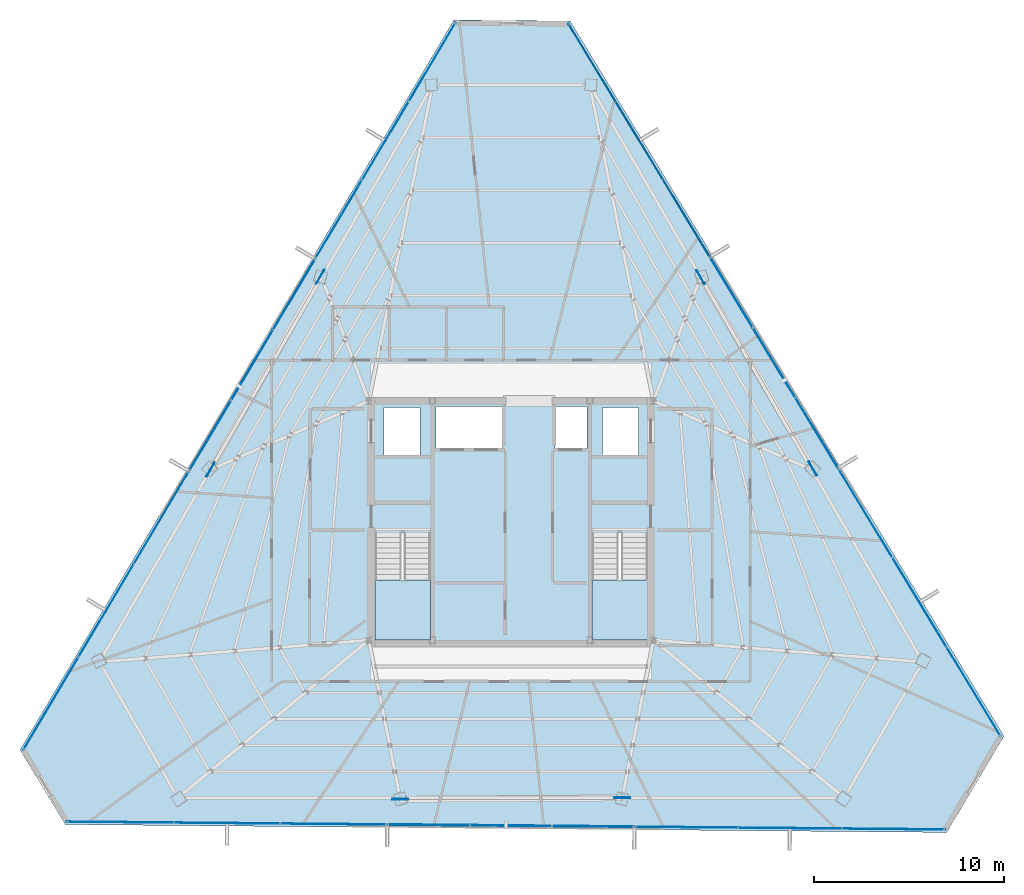
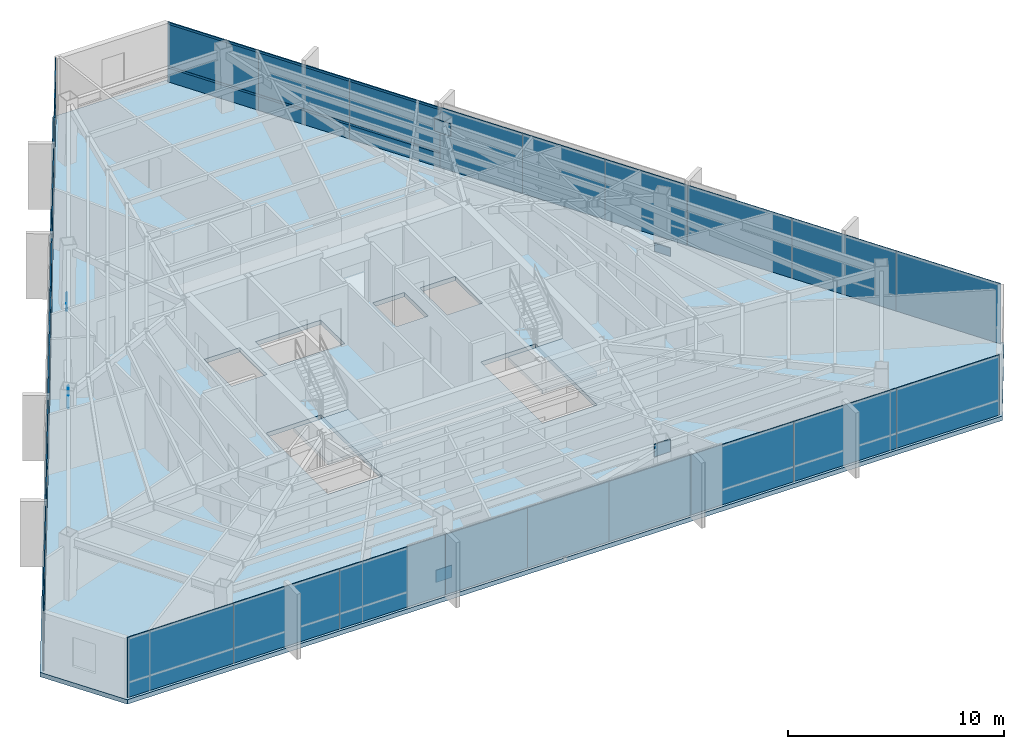
# One storey, part 35 of 45: 33 plates, 3 slabs, 2 members, 11 elements without a shape of their own.
"""IFC4 building model written with IfcOpenShell, lengths in metres."""

from ifc_helpers import new_model, si_unit, direction, frame, origin, origin_2d, place, context, subcontext, project, spatial, polyline, rectangle, hollow_rectangle, outline, extrude, source, transform, mapped, material, layer, layer_set, material_profile, profile_set, type_object, type_shapes, element, aggregate, save


model = new_model("IFC4")

# Units and contexts
model_context = context("Model", 3, precision=1e-05, world=origin(), true_north=direction((0.0, 1.0)))
body_context = subcontext(model_context, "Body", "Model", "MODEL_VIEW")
ifc_project = project(units=[si_unit("LENGTHUNIT", "METRE"), si_unit("AREAUNIT", "SQUARE_METRE"), si_unit("VOLUMEUNIT", "CUBIC_METRE"), si_unit("PLANEANGLEUNIT", "RADIAN"), si_unit("MASSUNIT", "GRAM", prefix="KILO")], contexts=[model_context])

# Site, building, storey
site_placement = place(None, origin())
site = spatial("IfcSite", under=ifc_project, at=site_placement, CompositionType="ELEMENT")
building_placement = place(site_placement, origin())
building = spatial("IfcBuilding", under=site, at=building_placement, Name="Caelisora Broadcast Tower", CompositionType="ELEMENT")
storey_placement = place(building_placement, frame((0.0, 0.0, 240.800048828125)))
storey = spatial("IfcBuildingStorey", under=building, at=storey_placement, Name="L63", CompositionType="ELEMENT", Elevation=240.800048828125)

# Curtain wall, members
ifc_material_1 = material(Name="Unitised Aluminium and Low-E Glass Curtain Wall", Category="glass")
curtain_wall_type_1 = type_object("IfcCurtainWallType", Name="CW-Z5", PredefinedType="NOTDEFINED", material=ifc_material_1)
curtain_wall_1_placement = place(storey_placement, origin())
curtain_wall_1 = element("IfcCurtainWall", 1, at=curtain_wall_1_placement, inside=storey, type_object=curtain_wall_type_1, Name="L63 curtain wall CW-Z5", PredefinedType="NOTDEFINED")
ifc_material_2 = material(Name="Aluminium 6063-T6 Anodised Terracotta Bronze", Category="aluminium")
ifc_material_profile = material_profile(ifc_material_2, hollow_rectangle(XDim=0.06005859375, YDim=0.1201171875, WallThickness=0.0029296875, at=origin_2d()), Name="Aluminium 6063-T6 Anodised Terracotta Bronze")
ifc_profile_set = profile_set([ifc_material_profile], Name="Aluminium 6063-T6 Anodised Terracotta Bronze")
member_type = type_object("IfcMemberType", Name="CWT-03", PredefinedType="USERDEFINED", material=ifc_profile_set)
shared_shape_1 = source(origin(), body_context, "Body", "SweptSolid", [
    extrude(hollow_rectangle(XDim=0.06005859375, YDim=0.1201171875, WallThickness=0.0029296875, at=origin_2d()), origin(), (0.0, 0.0, 1.0), 14.25537109375),
])
type_shapes(member_type, [shared_shape_1])
member_1_placement = place(storey_placement, frame((41.052001953125, 49.8212890625, 0.849853515625), z_axis=(0.51863531142, -0.854995563584, 0.0), x_axis=(0.854995563584, 0.51863531142, 0.0)))
member_1 = element("IfcMember", 2, at=member_1_placement, type_object=member_type, Name="L63-CW-B01 transom #1", ObjectType="TRANSOM", PredefinedType="USERDEFINED", context=body_context, shape_type="MappedRepresentation", body=[
    mapped(shared_shape_1, transform((0.0, 0.0, 0.0), scale=1.0)),
])
member_2_placement = place(storey_placement, frame((41.052001953125, 49.8212890625, 3.320068359375), z_axis=(0.51863531142, -0.854995563584, 0.0), x_axis=(0.854995563584, 0.51863531142, 0.0)))
member_2 = element("IfcMember", 3, at=member_2_placement, type_object=member_type, Name="L63-CW-B01 transom #2", ObjectType="TRANSOM", PredefinedType="USERDEFINED", context=body_context, shape_type="MappedRepresentation", body=[
    mapped(shared_shape_1, transform((0.0, 0.0, 0.0), scale=1.0)),
])

# Slab
ifc_material_3 = material(Name="Concrete 40 MPa (AS 3600 N40)", Category="concrete")
ifc_layer_1 = layer(ifc_material_3, 0.25, Name="Concrete 40 MPa (AS 3600 N40)")
ifc_layer_set_1 = layer_set([ifc_layer_1], Name="Concrete 40 MPa (AS 3600 N40)")
slab_type_1 = type_object("IfcSlabType", Name="SL04", PredefinedType="FLOOR", material=ifc_layer_set_1)
slab_1_placement = place(storey_placement, frame((0.0, 0.0, -0.25)))
element("IfcSlab", 4, at=slab_1_placement, inside=storey, type_object=slab_type_1, Name="L63 suspended floor SL04", PredefinedType="FLOOR", context=body_context, shape_type="SweptSolid", body=[
    extrude(outline(polyline([(41.111083984375, 50.012939453125), (34.98388671875, 50.068115234375), (12.1279296875, 11.615966796875), (14.511962890625, 7.68603515625), (60.947021484375, 7.26904296875), (63.962890625, 12.342041015625), (41.111083984375, 50.012939453125)]), holes=[polyline([(30.820068359375, 17.39990234375), (33.739990234375, 17.39990234375), (33.739990234375, 23.080078125), (30.820068359375, 23.080078125), (30.820068359375, 17.39990234375)]), polyline([(42.260009765625, 17.39990234375), (45.179931640625, 17.39990234375), (45.179931640625, 23.080078125), (42.260009765625, 23.080078125), (42.260009765625, 17.39990234375)]), polyline([(42.800048828125, 27.14990234375), (44.699951171875, 27.14990234375), (44.699951171875, 29.64990234375), (42.800048828125, 29.64990234375), (42.800048828125, 27.14990234375)]), polyline([(40.300048828125, 27.5), (42.0, 27.5), (42.0, 29.699951171875), (40.300048828125, 29.699951171875), (40.300048828125, 27.5)]), polyline([(34.050048828125, 27.5), (37.550048828125, 27.5), (37.550048828125, 29.699951171875), (34.050048828125, 29.699951171875), (34.050048828125, 27.5)]), polyline([(31.300048828125, 27.14990234375), (33.199951171875, 27.14990234375), (33.199951171875, 29.64990234375), (31.300048828125, 29.64990234375), (31.300048828125, 27.14990234375)])]), origin(), (0.0, 0.0, 1.0), 0.25),
])

# Stair, slab
stair_type_1 = type_object("IfcStairType", Name="ST-1", PredefinedType="HALF_TURN_STAIR", material=ifc_material_3)
stair_1_placement = place(storey_placement, origin())
stair_1 = element("IfcStair", 5, at=stair_1_placement, inside=storey, type_object=stair_type_1, Name="L63 West Fire-Isolated Tower Stair", PredefinedType="HALF_TURN_STAIR")
ifc_layer_2 = layer(ifc_material_3, 0.199951171875, Name="Concrete 40 MPa (AS 3600 N40)")
ifc_layer_set_2 = layer_set([ifc_layer_2], Name="Concrete 40 MPa (AS 3600 N40)")
slab_type_2 = type_object("IfcSlabType", Name="STL-1", PredefinedType="LANDING", material=ifc_layer_set_2)
slab_2_placement = place(storey_placement, frame((0.0, 0.0, 1.625)))
slab_2 = element("IfcSlab", 6, at=slab_2_placement, type_object=slab_type_2, Name="ST-1 landing 1", PredefinedType="LANDING", context=body_context, shape_type="SweptSolid", body=[
    extrude(outline(polyline([(30.820068359375, 20.580078125), (30.820068359375, 17.39990234375), (33.739990234375, 17.39990234375), (33.739990234375, 20.580078125), (30.820068359375, 20.580078125)])), origin(), (0.0, 0.0, 1.0), 0.199951171875),
])
aggregate(stair_1, [slab_2])

stair_type_2 = type_object("IfcStairType", Name="ST-2", PredefinedType="HALF_TURN_STAIR", material=ifc_material_3)
stair_2_placement = place(storey_placement, origin())
stair_2 = element("IfcStair", 7, at=stair_2_placement, inside=storey, type_object=stair_type_2, Name="L63 East Fire-Isolated Tower Stair", PredefinedType="HALF_TURN_STAIR")
slab_3_placement = place(storey_placement, frame((0.0, 0.0, 1.625)))
slab_3 = element("IfcSlab", 8, at=slab_3_placement, type_object=slab_type_2, Name="ST-2 landing 1", PredefinedType="LANDING", context=body_context, shape_type="SweptSolid", body=[
    extrude(outline(polyline([(42.260009765625, 20.580078125), (42.260009765625, 17.39990234375), (45.179931640625, 17.39990234375), (45.179931640625, 20.580078125), (42.260009765625, 20.580078125)])), origin(), (0.0, 0.0, 1.0), 0.199951171875),
])
aggregate(stair_2, [slab_3])

# Plates
ifc_material_4 = material(Name="Steel Grade 350 L15 (AS/NZS 3678)", Category="steel")
ifc_layer_3 = layer(ifc_material_4, 0.0400390625, Name="Steel Grade 350 L15 (AS/NZS 3678)")
ifc_layer_set_3 = layer_set([ifc_layer_3], Name="Steel Grade 350 L15 (AS/NZS 3678)")
plate_type_1 = type_object("IfcPlateType", Name="GP04", PredefinedType="USERDEFINED", material=ifc_layer_set_3)
shared_shape_2 = source(origin(), body_context, "Body", "SweptSolid", [
    extrude(rectangle(XDim=0.85009765625, YDim=0.0400390625, at=origin_2d()), origin(), (0.0, 0.0, 1.0), 0.699951171875),
])
type_shapes(plate_type_1, [shared_shape_2])
for number, where, z_axis, x_axis, name in (
    (9, (27.94677734375, 36.54150390625, -0.22998046875), (0.0, 0.0, 1.0), (-0.5, -0.866025403784, 0.0), "L63 gusset plate GP04 (ND-L63-C02B)"),
    (10, (22.16650390625, 26.38525390625, 2.72998046875), (0.0, 0.0, 1.0), (-0.5, -0.866025403784, 0.0), "L63 gusset plate GP04 (ND-L63-C03T)"),
    (11, (32.165283203125, 9.02294921875, -0.22998046875), (0.0, 0.0, 1.0), (1.0, 0.0, 0.0), "L63 gusset plate GP04 (ND-L63-C06B)"),
    (12, (43.85107421875, 9.09521484375, 2.72998046875), (0.0, 0.0, 1.0), (1.0, 0.0, 0.0), "L63 gusset plate GP04 (ND-L63-C07T)"),
    (13, (53.8876953125, 26.435546875, -0.22998046875), (0.0, 0.0, 1.0), (-0.5, 0.866025403784, 0.0), "L63 gusset plate GP04 (ND-L63-C10B)"),
    (14, (47.982421875, 36.51953125, 2.72998046875), (0.0, 0.0, 1.0), (-0.5, 0.866025403784, 0.0), "L63 gusset plate GP04 (ND-L63-C11T)"),
):
    element("IfcPlate", number, at=place(storey_placement, frame(where, z_axis=z_axis, x_axis=x_axis)), inside=storey, type_object=plate_type_1, Name=name, ObjectType="GUSSET PLATE", PredefinedType="USERDEFINED", context=body_context, shape_type="MappedRepresentation", body=[
        mapped(shared_shape_2, transform((0.0, 0.0, 0.0), scale=1.0)),
    ])

# Curtain wall, plates
curtain_wall_2_placement = place(storey_placement, origin())
curtain_wall_2 = element("IfcCurtainWall", 15, at=curtain_wall_2_placement, inside=storey, type_object=curtain_wall_type_1, Name="L63 curtain wall CW-Z5", PredefinedType="NOTDEFINED")
ifc_material_5 = material(Name="Double Glazed Low-E Argon IGU", Category="glass")
ifc_layer_4 = layer(ifc_material_5, 0.028076171875, Name="Double Glazed Low-E Argon IGU")
ifc_layer_set_4 = layer_set([ifc_layer_4], Name="Double Glazed Low-E Argon IGU")
plate_type_2 = type_object("IfcPlateType", Name="CWP-06", PredefinedType="CURTAIN_PANEL", material=ifc_layer_set_4)
shared_shape_3 = source(origin(), body_context, "Body", "SweptSolid", [
    extrude(rectangle(XDim=4.819091796875, YDim=0.028076171875, at=origin_2d()), origin(), (0.0, 0.0, 1.0), 3.39990234375),
])
plate_1_placement = place(storey_placement, frame((28.913330078125, 39.56103515625, 0.0), z_axis=(0.0, 0.0, 1.0), x_axis=(0.510993065504, 0.859584834096, 0.0)))
plate_1 = element("IfcPlate", 16, at=plate_1_placement, type_object=plate_type_2, Name="L63-CW-B11 glazed panel #1", PredefinedType="CURTAIN_PANEL", context=body_context, shape_type="MappedRepresentation", body=[
    mapped(shared_shape_3, transform((0.0, 0.0, 0.0), scale=1.0)),
])
plate_2_placement = place(storey_placement, frame((31.37548828125, 43.703369140625, 0.0), z_axis=(0.0, 0.0, 1.0), x_axis=(0.510993065504, 0.859584834096, 0.0)))
plate_2 = element("IfcPlate", 17, at=plate_2_placement, type_object=plate_type_2, Name="L63-CW-B11 glazed panel #2", PredefinedType="CURTAIN_PANEL", context=body_context, shape_type="MappedRepresentation", body=[
    mapped(shared_shape_3, transform((0.0, 0.0, 0.0), scale=1.0)),
])
plate_3_placement = place(storey_placement, frame((33.837890625, 47.845703125, 0.0), z_axis=(0.0, 0.0, 1.0), x_axis=(0.510993065504, 0.859584834096, 0.0)))
plate_3 = element("IfcPlate", 18, at=plate_3_placement, type_object=plate_type_2, Name="L63-CW-B11 glazed panel #3", PredefinedType="CURTAIN_PANEL", context=body_context, shape_type="MappedRepresentation", body=[
    mapped(shared_shape_3, transform((0.0, 0.0, 0.0), scale=1.0)),
])
aggregate(curtain_wall_2, [plate_1, plate_2, plate_3])

# Plate
shared_shape_4 = source(origin(), body_context, "Body", "SweptSolid", [
    extrude(rectangle(XDim=4.78515625, YDim=0.028076171875, at=origin_2d()), origin(), (0.0, 0.0, 1.0), 3.39990234375),
])
plate_4_placement = place(storey_placement, frame((42.266845703125, 47.818359375, 0.0), z_axis=(0.0, 0.0, 1.0), x_axis=(0.51862403999, -0.855002400666, 0.0)))
plate_4 = element("IfcPlate", 19, at=plate_4_placement, type_object=plate_type_2, Name="L63-CW-B01 glazed panel #1", PredefinedType="CURTAIN_PANEL", context=body_context, shape_type="MappedRepresentation", body=[
    mapped(shared_shape_4, transform((0.0, 0.0, 0.0), scale=1.0)),
])

plate_5_placement = place(storey_placement, frame((44.748779296875, 43.727294921875, 0.0), z_axis=(0.0, 0.0, 1.0), x_axis=(0.51862403999, -0.855002400666, 0.0)))
plate_5 = element("IfcPlate", 20, at=plate_5_placement, type_object=plate_type_2, Name="L63-CW-B01 glazed panel #2", PredefinedType="CURTAIN_PANEL", context=body_context, shape_type="MappedRepresentation", body=[
    mapped(shared_shape_4, transform((0.0, 0.0, 0.0), scale=1.0)),
])

plate_6_placement = place(storey_placement, frame((47.23046875, 39.635986328125, 0.0), z_axis=(0.0, 0.0, 1.0), x_axis=(0.51862403999, -0.855002400666, 0.0)))
plate_6 = element("IfcPlate", 21, at=plate_6_placement, type_object=plate_type_2, Name="L63-CW-B01 glazed panel #3", PredefinedType="CURTAIN_PANEL", context=body_context, shape_type="MappedRepresentation", body=[
    mapped(shared_shape_4, transform((0.0, 0.0, 0.0), scale=1.0)),
])

aggregate(curtain_wall_1, [member_1, member_2, plate_4, plate_5, plate_6])

# Curtain wall, plates
ifc_material_6 = material(Name="Unitised Aluminium Insulated Shadow-Box Spandrel Curtain Wall", Category="aluminium")
curtain_wall_type_2 = type_object("IfcCurtainWallType", Name="CW-SP3", PredefinedType="NOTDEFINED", material=ifc_material_6)
curtain_wall_3_placement = place(storey_placement, origin())
curtain_wall_3 = element("IfcCurtainWall", 22, at=curtain_wall_3_placement, inside=storey, type_object=curtain_wall_type_2, Name="L63 curtain wall CW-SP3", PredefinedType="NOTDEFINED")
ifc_material_7 = material(Name="Insulated Terracotta Shadow-Box Spandrel Panel", Category="aluminium")
ifc_layer_5 = layer(ifc_material_7, 0.0439453125, Name="Insulated Terracotta Shadow-Box Spandrel Panel")
ifc_layer_set_5 = layer_set([ifc_layer_5], Name="Insulated Terracotta Shadow-Box Spandrel Panel")
plate_type_3 = type_object("IfcPlateType", Name="CWP-10", PredefinedType="CURTAIN_PANEL", material=ifc_layer_set_5)
shared_shape_5 = source(origin(), body_context, "Body", "SweptSolid", [
    extrude(rectangle(XDim=4.33544921875, YDim=0.0439453125, at=origin_2d()), origin(), (0.0, 0.0, 1.0), 3.39990234375),
])
plate_7_placement = place(storey_placement, frame((49.600830078125, 35.728515625, 0.0), z_axis=(0.0, 0.0, 1.0), x_axis=(0.51862403999, -0.855002400666, 0.0)))
plate_7 = element("IfcPlate", 23, at=plate_7_placement, type_object=plate_type_3, Name="L63-CW-B02 spandrel panel #1", PredefinedType="CURTAIN_PANEL", context=body_context, shape_type="MappedRepresentation", body=[
    mapped(shared_shape_5, transform((0.0, 0.0, 0.0), scale=1.0)),
])
plate_8_placement = place(storey_placement, frame((51.849365234375, 32.021728515625, 0.0), z_axis=(0.0, 0.0, 1.0), x_axis=(0.51862403999, -0.855002400666, 0.0)))
plate_8 = element("IfcPlate", 24, at=plate_8_placement, type_object=plate_type_3, Name="L63-CW-B02 spandrel panel #2", PredefinedType="CURTAIN_PANEL", context=body_context, shape_type="MappedRepresentation", body=[
    mapped(shared_shape_5, transform((0.0, 0.0, 0.0), scale=1.0)),
])
plate_9_placement = place(storey_placement, frame((54.097900390625, 28.31494140625, 0.0), z_axis=(0.0, 0.0, 1.0), x_axis=(0.51862403999, -0.855002400666, 0.0)))
plate_9 = element("IfcPlate", 25, at=plate_9_placement, type_object=plate_type_3, Name="L63-CW-B02 spandrel panel #3", PredefinedType="CURTAIN_PANEL", context=body_context, shape_type="MappedRepresentation", body=[
    mapped(shared_shape_5, transform((0.0, 0.0, 0.0), scale=1.0)),
])
aggregate(curtain_wall_3, [plate_7, plate_8, plate_9])

curtain_wall_4_placement = place(storey_placement, origin())
curtain_wall_4 = element("IfcCurtainWall", 26, at=curtain_wall_4_placement, inside=storey, type_object=curtain_wall_type_1, Name="L63 curtain wall CW-Z5", PredefinedType="NOTDEFINED")
shared_shape_6 = source(origin(), body_context, "Body", "SweptSolid", [
    extrude(rectangle(XDim=5.501708984375, YDim=0.028076171875, at=origin_2d()), origin(), (0.0, 0.0, 1.0), 3.39990234375),
])
plate_10_placement = place(storey_placement, frame((56.654296875, 24.10107421875, 0.0), z_axis=(0.0, 0.0, 1.0), x_axis=(0.51862403999, -0.855002400666, 0.0)))
plate_10 = element("IfcPlate", 27, at=plate_10_placement, type_object=plate_type_2, Name="L63-CW-B03 glazed panel #1", PredefinedType="CURTAIN_PANEL", context=body_context, shape_type="MappedRepresentation", body=[
    mapped(shared_shape_6, transform((0.0, 0.0, 0.0), scale=1.0)),
])
plate_11_placement = place(storey_placement, frame((59.5078125, 19.39697265625, 0.0), z_axis=(0.0, 0.0, 1.0), x_axis=(0.51862403999, -0.855002400666, 0.0)))
plate_11 = element("IfcPlate", 28, at=plate_11_placement, type_object=plate_type_2, Name="L63-CW-B03 glazed panel #2", PredefinedType="CURTAIN_PANEL", context=body_context, shape_type="MappedRepresentation", body=[
    mapped(shared_shape_6, transform((0.0, 0.0, 0.0), scale=1.0)),
])
plate_12_placement = place(storey_placement, frame((62.361083984375, 14.693115234375, 0.0), z_axis=(0.0, 0.0, 1.0), x_axis=(0.51862403999, -0.855002400666, 0.0)))
plate_12 = element("IfcPlate", 29, at=plate_12_placement, type_object=plate_type_2, Name="L63-CW-B03 glazed panel #3", PredefinedType="CURTAIN_PANEL", context=body_context, shape_type="MappedRepresentation", body=[
    mapped(shared_shape_6, transform((0.0, 0.0, 0.0), scale=1.0)),
])
aggregate(curtain_wall_4, [plate_10, plate_11, plate_12])

curtain_wall_5_placement = place(storey_placement, origin())
curtain_wall_5 = element("IfcCurtainWall", 30, at=curtain_wall_5_placement, inside=storey, type_object=curtain_wall_type_1, Name="L63 curtain wall CW-Z5", PredefinedType="NOTDEFINED")
shared_shape_7 = source(origin(), body_context, "Body", "SweptSolid", [
    extrude(rectangle(XDim=5.45361328125, YDim=0.028076171875, at=origin_2d()), origin(), (0.0, 0.0, 1.0), 3.39990234375),
])
plate_13_placement = place(storey_placement, frame((58.13525390625, 7.444580078125, 0.0), z_axis=(0.0, 0.0, 1.0), x_axis=(-0.999960384766, 0.008901061644, 0.0)))
plate_13 = element("IfcPlate", 31, at=plate_13_placement, type_object=plate_type_2, Name="L63-CW-B05 glazed panel #1", PredefinedType="CURTAIN_PANEL", context=body_context, shape_type="MappedRepresentation", body=[
    mapped(shared_shape_7, transform((0.0, 0.0, 0.0), scale=1.0)),
])
plate_14_placement = place(storey_placement, frame((52.681884765625, 7.493408203125, 0.0), z_axis=(0.0, 0.0, 1.0), x_axis=(-0.999960384766, 0.008901061644, 0.0)))
plate_14 = element("IfcPlate", 32, at=plate_14_placement, type_object=plate_type_2, Name="L63-CW-B05 glazed panel #2", PredefinedType="CURTAIN_PANEL", context=body_context, shape_type="MappedRepresentation", body=[
    mapped(shared_shape_7, transform((0.0, 0.0, 0.0), scale=1.0)),
])
plate_15_placement = place(storey_placement, frame((47.228271484375, 7.542236328125, 0.0), z_axis=(0.0, 0.0, 1.0), x_axis=(-0.999960384766, 0.008901061644, 0.0)))
plate_15 = element("IfcPlate", 33, at=plate_15_placement, type_object=plate_type_2, Name="L63-CW-B05 glazed panel #3", PredefinedType="CURTAIN_PANEL", context=body_context, shape_type="MappedRepresentation", body=[
    mapped(shared_shape_7, transform((0.0, 0.0, 0.0), scale=1.0)),
])
aggregate(curtain_wall_5, [plate_13, plate_14, plate_15])

curtain_wall_6_placement = place(storey_placement, origin())
curtain_wall_6 = element("IfcCurtainWall", 34, at=curtain_wall_6_placement, inside=storey, type_object=curtain_wall_type_2, Name="L63 curtain wall CW-SP3", PredefinedType="NOTDEFINED")
shared_shape_8 = source(origin(), body_context, "Body", "SweptSolid", [
    extrude(rectangle(XDim=4.336181640625, YDim=0.0439453125, at=origin_2d()), origin(), (0.0, 0.0, 1.0), 3.39990234375),
])
type_shapes(plate_type_3, [shared_shape_5, shared_shape_8])
plate_16_placement = place(storey_placement, frame((42.323486328125, 7.586181640625, 0.0), z_axis=(0.0, 0.0, 1.0), x_axis=(-0.999960384766, 0.008901061644, 0.0)))
plate_16 = element("IfcPlate", 35, at=plate_16_placement, type_object=plate_type_3, Name="L63-CW-B06 spandrel panel #1", PredefinedType="CURTAIN_PANEL", context=body_context, shape_type="MappedRepresentation", body=[
    mapped(shared_shape_8, transform((0.0, 0.0, 0.0), scale=1.0)),
])
plate_17_placement = place(storey_placement, frame((37.987548828125, 7.625244140625, 0.0), z_axis=(0.0, 0.0, 1.0), x_axis=(-0.999960384766, 0.008901061644, 0.0)))
plate_17 = element("IfcPlate", 36, at=plate_17_placement, type_object=plate_type_3, Name="L63-CW-B06 spandrel panel #2", PredefinedType="CURTAIN_PANEL", context=body_context, shape_type="MappedRepresentation", body=[
    mapped(shared_shape_8, transform((0.0, 0.0, 0.0), scale=1.0)),
])
plate_18_placement = place(storey_placement, frame((33.6513671875, 7.6640625, 0.0), z_axis=(0.0, 0.0, 1.0), x_axis=(-0.999960384766, 0.008901061644, 0.0)))
plate_18 = element("IfcPlate", 37, at=plate_18_placement, type_object=plate_type_3, Name="L63-CW-B06 spandrel panel #3", PredefinedType="CURTAIN_PANEL", context=body_context, shape_type="MappedRepresentation", body=[
    mapped(shared_shape_8, transform((0.0, 0.0, 0.0), scale=1.0)),
])
aggregate(curtain_wall_6, [plate_16, plate_17, plate_18])

curtain_wall_7_placement = place(storey_placement, origin())
curtain_wall_7 = element("IfcCurtainWall", 38, at=curtain_wall_7_placement, inside=storey, type_object=curtain_wall_type_2, Name="L63 curtain wall CW-SP3", PredefinedType="NOTDEFINED")
plate_19_placement = place(storey_placement, frame((22.13818359375, 28.162841796875, 0.0), z_axis=(0.0, 0.0, 1.0), x_axis=(0.510993065504, 0.859584834096, 0.0)))
plate_19 = element("IfcPlate", 39, at=plate_19_placement, type_object=plate_type_3, Name="L63-CW-B10 spandrel panel #1", PredefinedType="CURTAIN_PANEL", context=body_context, shape_type="MappedRepresentation", body=[
    mapped(shared_shape_8, transform((0.0, 0.0, 0.0), scale=1.0)),
])
plate_20_placement = place(storey_placement, frame((24.353759765625, 31.89013671875, 0.0), z_axis=(0.0, 0.0, 1.0), x_axis=(0.510993065504, 0.859584834096, 0.0)))
plate_20 = element("IfcPlate", 40, at=plate_20_placement, type_object=plate_type_3, Name="L63-CW-B10 spandrel panel #2", PredefinedType="CURTAIN_PANEL", context=body_context, shape_type="MappedRepresentation", body=[
    mapped(shared_shape_8, transform((0.0, 0.0, 0.0), scale=1.0)),
])
plate_21_placement = place(storey_placement, frame((26.569091796875, 35.617431640625, 0.0), z_axis=(0.0, 0.0, 1.0), x_axis=(0.510993065504, 0.859584834096, 0.0)))
plate_21 = element("IfcPlate", 41, at=plate_21_placement, type_object=plate_type_3, Name="L63-CW-B10 spandrel panel #3", PredefinedType="CURTAIN_PANEL", context=body_context, shape_type="MappedRepresentation", body=[
    mapped(shared_shape_8, transform((0.0, 0.0, 0.0), scale=1.0)),
])
aggregate(curtain_wall_7, [plate_19, plate_20, plate_21])

curtain_wall_8_placement = place(storey_placement, origin())
curtain_wall_8 = element("IfcCurtainWall", 42, at=curtain_wall_8_placement, inside=storey, type_object=curtain_wall_type_1, Name="L63 curtain wall CW-Z5", PredefinedType="NOTDEFINED")
shared_shape_9 = source(origin(), body_context, "Body", "SweptSolid", [
    extrude(rectangle(XDim=5.625732421875, YDim=0.028076171875, at=origin_2d()), origin(), (0.0, 0.0, 1.0), 3.39990234375),
])
plate_22_placement = place(storey_placement, frame((28.66064453125, 7.708740234375, 0.0), z_axis=(0.0, 0.0, 1.0), x_axis=(-0.999960384766, 0.008901061644, 0.0)))
plate_22 = element("IfcPlate", 43, at=plate_22_placement, type_object=plate_type_2, Name="L63-CW-B07 glazed panel #1", PredefinedType="CURTAIN_PANEL", context=body_context, shape_type="MappedRepresentation", body=[
    mapped(shared_shape_9, transform((0.0, 0.0, 0.0), scale=1.0)),
])
plate_23_placement = place(storey_placement, frame((23.03515625, 7.75927734375, 0.0), z_axis=(0.0, 0.0, 1.0), x_axis=(-0.999960384766, 0.008901061644, 0.0)))
plate_23 = element("IfcPlate", 44, at=plate_23_placement, type_object=plate_type_2, Name="L63-CW-B07 glazed panel #2", PredefinedType="CURTAIN_PANEL", context=body_context, shape_type="MappedRepresentation", body=[
    mapped(shared_shape_9, transform((0.0, 0.0, 0.0), scale=1.0)),
])
plate_24_placement = place(storey_placement, frame((17.40966796875, 7.809814453125, 0.0), z_axis=(0.0, 0.0, 1.0), x_axis=(-0.999960384766, 0.008901061644, 0.0)))
plate_24 = element("IfcPlate", 45, at=plate_24_placement, type_object=plate_type_2, Name="L63-CW-B07 glazed panel #3", PredefinedType="CURTAIN_PANEL", context=body_context, shape_type="MappedRepresentation", body=[
    mapped(shared_shape_9, transform((0.0, 0.0, 0.0), scale=1.0)),
])
aggregate(curtain_wall_8, [plate_22, plate_23, plate_24])

curtain_wall_9_placement = place(storey_placement, origin())
curtain_wall_9 = element("IfcCurtainWall", 46, at=curtain_wall_9_placement, inside=storey, type_object=curtain_wall_type_1, Name="L63 curtain wall CW-Z5", PredefinedType="NOTDEFINED")
shared_shape_10 = source(origin(), body_context, "Body", "SweptSolid", [
    extrude(rectangle(XDim=5.690185546875, YDim=0.028076171875, at=origin_2d()), origin(), (0.0, 0.0, 1.0), 3.39990234375),
])
type_shapes(plate_type_2, [shared_shape_3, shared_shape_4, shared_shape_6, shared_shape_7, shared_shape_9, shared_shape_10])
plate_25_placement = place(storey_placement, frame((13.756591796875, 14.0625, 0.0), z_axis=(0.0, 0.0, 1.0), x_axis=(0.510993065504, 0.859584834096, 0.0)))
plate_25 = element("IfcPlate", 47, at=plate_25_placement, type_object=plate_type_2, Name="L63-CW-B09 glazed panel #1", PredefinedType="CURTAIN_PANEL", context=body_context, shape_type="MappedRepresentation", body=[
    mapped(shared_shape_10, transform((0.0, 0.0, 0.0), scale=1.0)),
])
plate_26_placement = place(storey_placement, frame((16.6640625, 18.953857421875, 0.0), z_axis=(0.0, 0.0, 1.0), x_axis=(0.510993065504, 0.859584834096, 0.0)))
plate_26 = element("IfcPlate", 48, at=plate_26_placement, type_object=plate_type_2, Name="L63-CW-B09 glazed panel #2", PredefinedType="CURTAIN_PANEL", context=body_context, shape_type="MappedRepresentation", body=[
    mapped(shared_shape_10, transform((0.0, 0.0, 0.0), scale=1.0)),
])
plate_27_placement = place(storey_placement, frame((19.571533203125, 23.84521484375, 0.0), z_axis=(0.0, 0.0, 1.0), x_axis=(0.510993065504, 0.859584834096, 0.0)))
plate_27 = element("IfcPlate", 49, at=plate_27_placement, type_object=plate_type_2, Name="L63-CW-B09 glazed panel #3", PredefinedType="CURTAIN_PANEL", context=body_context, shape_type="MappedRepresentation", body=[
    mapped(shared_shape_10, transform((0.0, 0.0, 0.0), scale=1.0)),
])
aggregate(curtain_wall_9, [plate_25, plate_26, plate_27])

save(model, "model.ifc")
